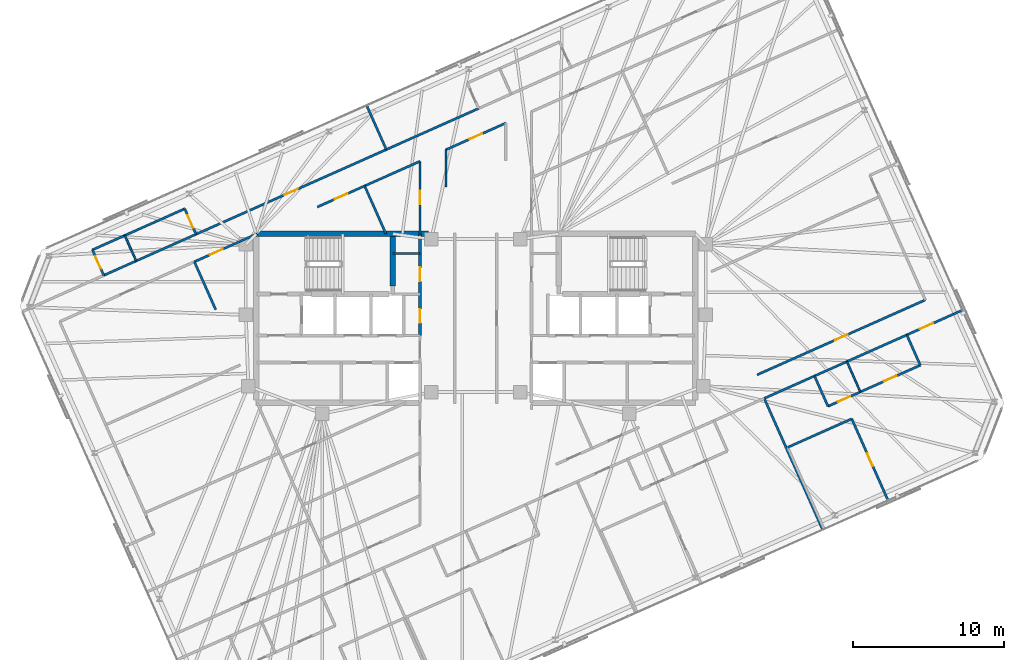
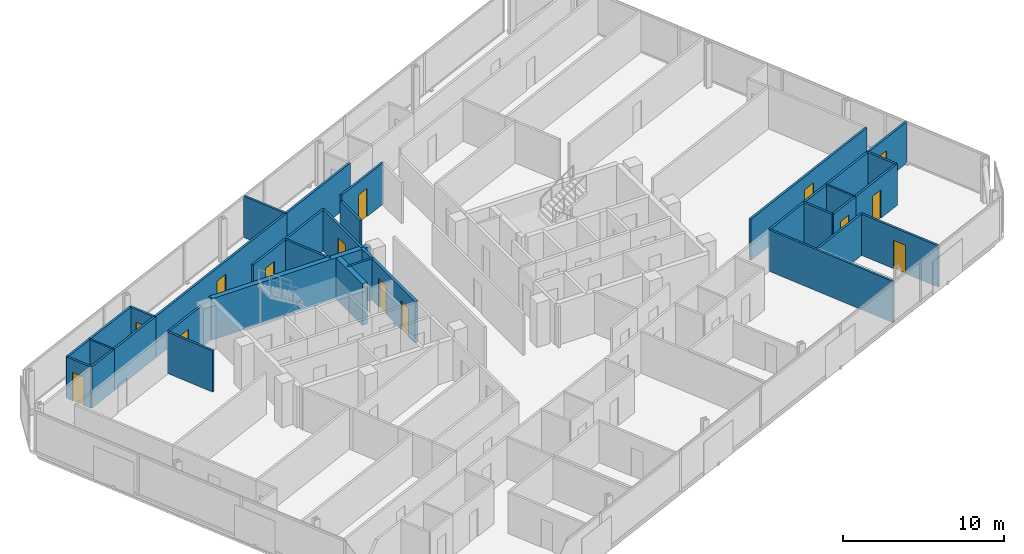
# One storey, part 16 of 19: 35 walls, 14 doors, 14 openings.
"""IFC4 building model written with IfcOpenShell, lengths in metres."""

from ifc_helpers import new_model, si_unit, direction, frame, frame_2d, origin, place, context, subcontext, project, spatial, rectangle, extrude, material, layer, layer_set, type_object, element, fill, save


model = new_model("IFC4")

# Units and contexts
model_context = context("Model", 3, precision=1e-05, world=origin(), true_north=direction((0.0, 1.0)))
body_context = subcontext(model_context, "Body", "Model", "MODEL_VIEW")
ifc_project = project(units=[si_unit("LENGTHUNIT", "METRE"), si_unit("AREAUNIT", "SQUARE_METRE"), si_unit("VOLUMEUNIT", "CUBIC_METRE"), si_unit("PLANEANGLEUNIT", "RADIAN"), si_unit("MASSUNIT", "GRAM", prefix="KILO")], contexts=[model_context])

# Site, building, storey
site_placement = place(None, origin())
site = spatial("IfcSite", under=ifc_project, at=site_placement, CompositionType="ELEMENT")
building_placement = place(site_placement, origin())
building = spatial("IfcBuilding", under=site, at=building_placement, Name="Menara Jurai Vektor", CompositionType="ELEMENT")
storey_placement = place(building_placement, frame((0.0, 0.0, 295.300048828125)))
storey = spatial("IfcBuildingStorey", under=building, at=storey_placement, Name="L79", CompositionType="ELEMENT", Elevation=295.300048828125)

# Wall
ifc_material_1 = material(Name="Gypsum Fireboard Partition", Category="gypsum")
ifc_layer_1 = layer(ifc_material_1, 0.14990234375)
ifc_layer_set_1 = layer_set([ifc_layer_1], Name="Gypsum Fireboard Partition")
wall_type_1 = type_object("IfcWallType", Name="INT-WALL-CORR-150", PredefinedType="PARTITIONING", material=ifc_layer_set_1)
wall_1_placement = place(storey_placement, frame((-5.5, 4.300048828125, 0.0), z_axis=(0.0, 0.0, 1.0), x_axis=(1.0, 0.0, 0.0)))
element("IfcWall", 1, at=wall_1_placement, inside=storey, type_object=wall_type_1, Name="Interior Wall IW-150 L79", PredefinedType="PARTITIONING", context=body_context, shape_type="SweptSolid", body=[
    extrude(rectangle(XDim=1.800048828125, YDim=0.14990234375, at=frame_2d((0.89990234375, 0.0))), origin(), (0.0, 0.0, 1.0), 3.125),
])

# Wall, opening, door
wall_2_placement = place(storey_placement, frame((-18.549072265625, 5.5703125, 0.0), z_axis=(0.0, 0.0, 1.0), x_axis=(0.913545955058, 0.40673552586, 0.0)))
wall_2 = element("IfcWall", 2, at=wall_2_placement, inside=storey, type_object=wall_type_1, Name="Interior Wall IW-150 L79", PredefinedType="PARTITIONING", context=body_context, shape_type="SweptSolid", body=[
    extrude(rectangle(XDim=13.80810546875, YDim=0.14990234375, at=frame_2d((6.904052734375, 0.0))), origin(), (0.0, 0.0, 1.0), 3.125),
])
opening_1_placement = place(wall_2_placement, frame((6.428955078125, 0.0, 0.0)))
opening_1 = element("IfcOpeningElement", 3, at=opening_1_placement, cuts=wall_2, Name="Opening D79-09", PredefinedType="OPENING", context=body_context, shape_type="SweptSolid", body=[
    extrude(rectangle(XDim=0.949951171875, YDim=2.14990234375, at=frame_2d((0.47509765625, 1.074951171875))), frame((0.0, 0.0849609375, 0.0), z_axis=(0.0, -1.0, 0.0), x_axis=(1.0, 0.0, 0.0)), (0.0, 0.0, 1.0), 0.169921875),
])
ifc_material_2 = material(Name="Solid Core Timber Fire Door", Category="wood")
door_type_1 = type_object("IfcDoorType", Name="DR-ENTRY-950", OperationType="NOTDEFINED", PredefinedType="DOOR", material=ifc_material_2)
door_1_placement = place(opening_1_placement, origin())
door_1 = element("IfcDoor", 4, at=door_1_placement, inside=storey, type_object=door_type_1, Name="Interior Door D79-09", OperationType="SINGLE_SWING_RIGHT", OverallHeight=2.14990234375, OverallWidth=0.949951171875, PredefinedType="DOOR", context=body_context, shape_type="SweptSolid", body=[
    extrude(rectangle(XDim=0.949951171875, YDim=2.14990234375, at=frame_2d((0.47509765625, 1.074951171875))), frame((0.0, 0.02490234375, 0.0), z_axis=(0.0, -1.0, 0.0), x_axis=(1.0, 0.0, 0.0)), (0.0, 0.0, 1.0), 0.050048828125),
])
fill(opening_1, door_1)

# Walls
wall_3_placement = place(storey_placement, frame((-24.669677734375, 2.84521484375, 0.0), z_axis=(0.0, 0.0, 1.0), x_axis=(0.913541436194, 0.406745675276, 0.0)))
element("IfcWall", 5, at=wall_3_placement, inside=storey, type_object=wall_type_1, Name="Interior Wall IW-150 L79", PredefinedType="PARTITIONING", context=body_context, shape_type="SweptSolid", body=[
    extrude(rectangle(XDim=2.349853515625, YDim=0.14990234375, at=frame_2d((1.1748046875, 0.0))), origin(), (0.0, 0.0, 1.0), 3.125),
])
wall_4_placement = place(storey_placement, frame((-22.52294921875, 3.801025390625, 0.0), z_axis=(0.0, 0.0, 1.0), x_axis=(0.913545193015, 0.406737237438, 0.0)))
element("IfcWall", 6, at=wall_4_placement, inside=storey, type_object=wall_type_1, Name="Interior Wall IW-150 L79", PredefinedType="PARTITIONING", context=body_context, shape_type="SweptSolid", body=[
    extrude(rectangle(XDim=4.349853515625, YDim=0.14990234375, at=frame_2d((2.1748046875, 0.0))), origin(), (0.0, 0.0, 1.0), 3.125),
])
wall_5_placement = place(storey_placement, frame((-5.934814453125, 11.1865234375, 0.0), z_axis=(0.0, 0.0, 1.0), x_axis=(0.91354851465, 0.406729776856, 0.0)))
element("IfcWall", 7, at=wall_5_placement, inside=storey, type_object=wall_type_1, Name="Interior Wall IW-150 L79", PredefinedType="PARTITIONING", context=body_context, shape_type="SweptSolid", body=[
    extrude(rectangle(XDim=6.703125, YDim=0.14990234375, at=frame_2d((3.3515625, 0.0))), origin(), (0.0, 0.0, 1.0), 3.125),
])
wall_6_placement = place(storey_placement, frame((19.125244140625, -5.314208984375, 0.0), z_axis=(0.0, 0.0, 1.0), x_axis=(0.913543802, 0.40674036169, 0.0)))
element("IfcWall", 8, at=wall_6_placement, inside=storey, type_object=wall_type_1, Name="Interior Wall IW-150 L79", PredefinedType="PARTITIONING", context=body_context, shape_type="SweptSolid", body=[
    extrude(rectangle(XDim=3.650146484375, YDim=0.14990234375, at=frame_2d((1.8251953125, 0.0))), origin(), (0.0, 0.0, 1.0), 3.125),
])

# Wall, opening, door
wall_7_placement = place(storey_placement, frame((28.58056640625, -1.1044921875, 0.0), z_axis=(0.0, 0.0, 1.0), x_axis=(0.91352836412, 0.406775033585, 0.0)))
wall_7 = element("IfcWall", 9, at=wall_7_placement, inside=storey, type_object=wall_type_1, Name="Interior Wall IW-150 L79", PredefinedType="PARTITIONING", context=body_context, shape_type="SweptSolid", body=[
    extrude(rectangle(XDim=4.05615234375, YDim=0.14990234375, at=frame_2d((2.028076171875, 0.0))), origin(), (0.0, 0.0, 1.0), 3.125),
])
opening_2_placement = place(wall_7_placement, frame((0.944580078125, 0.0, 0.0)))
opening_2 = element("IfcOpeningElement", 10, at=opening_2_placement, cuts=wall_7, Name="Opening D79-27", PredefinedType="OPENING", context=body_context, shape_type="SweptSolid", body=[
    extrude(rectangle(XDim=0.949951171875, YDim=2.14990234375, at=frame_2d((0.47509765625, 1.074951171875))), frame((0.0, 0.0849609375, 0.0), z_axis=(0.0, -1.0, 0.0), x_axis=(1.0, 0.0, 0.0)), (0.0, 0.0, 1.0), 0.169921875),
])
door_2_placement = place(opening_2_placement, origin())
door_2 = element("IfcDoor", 11, at=door_2_placement, inside=storey, type_object=door_type_1, Name="Interior Door D79-27", OperationType="SINGLE_SWING_RIGHT", OverallHeight=2.14990234375, OverallWidth=0.949951171875, PredefinedType="DOOR", context=body_context, shape_type="SweptSolid", body=[
    extrude(rectangle(XDim=0.949951171875, YDim=2.14990234375, at=frame_2d((0.47509765625, 1.074951171875))), frame((0.0, 0.02490234375, 0.0), z_axis=(0.0, -1.0, 0.0), x_axis=(1.0, 0.0, 0.0)), (0.0, 0.0, 1.0), 0.050048828125),
])
fill(opening_2, door_2)

# Walls
wall_8_placement = place(storey_placement, frame((22.459716796875, -3.82958984375, 0.0), z_axis=(0.0, 0.0, 1.0), x_axis=(0.913541436194, 0.406745675276, 0.0)))
element("IfcWall", 12, at=wall_8_placement, inside=storey, type_object=wall_type_1, Name="Interior Wall IW-150 L79", PredefinedType="PARTITIONING", context=body_context, shape_type="SweptSolid", body=[
    extrude(rectangle(XDim=2.349853515625, YDim=0.14990234375, at=frame_2d((1.1748046875, 0.0))), origin(), (0.0, 0.0, 1.0), 3.125),
])
wall_9_placement = place(storey_placement, frame((24.6064453125, -2.873779296875, 0.0), z_axis=(0.0, 0.0, 1.0), x_axis=(0.913554477336, 0.406716383908, 0.0)))
element("IfcWall", 13, at=wall_9_placement, inside=storey, type_object=wall_type_1, Name="Interior Wall IW-150 L79", PredefinedType="PARTITIONING", context=body_context, shape_type="SweptSolid", body=[
    extrude(rectangle(XDim=4.35009765625, YDim=0.14990234375, at=frame_2d((2.175048828125, 0.0))), origin(), (0.0, 0.0, 1.0), 3.125),
])

# Wall, opening, door
wall_10_placement = place(storey_placement, frame((-18.6611328125, 3.7470703125, 0.0), z_axis=(0.0, 0.0, 1.0), x_axis=(0.913535055583, 0.40676000568, 0.0)))
wall_10 = element("IfcWall", 14, at=wall_10_placement, inside=storey, type_object=wall_type_1, Name="Interior Wall IW-150 L79", PredefinedType="PARTITIONING", context=body_context, shape_type="SweptSolid", body=[
    extrude(rectangle(XDim=4.554931640625, YDim=0.14990234375, at=frame_2d((2.27734375, 0.0))), origin(), (0.0, 0.0, 1.0), 3.125),
])
opening_3_placement = place(wall_10_placement, frame((1.13427734375, 0.0, 0.0)))
opening_3 = element("IfcOpeningElement", 15, at=opening_3_placement, cuts=wall_10, Name="Opening D79-43", PredefinedType="OPENING", context=body_context, shape_type="SweptSolid", body=[
    extrude(rectangle(XDim=0.919921875, YDim=2.14990234375, at=frame_2d((0.4599609375, 1.074951171875))), frame((0.0, 0.0849609375, 0.0), z_axis=(0.0, -1.0, 0.0), x_axis=(1.0, 0.0, 0.0)), (0.0, 0.0, 1.0), 0.169921875),
])
door_3_placement = place(opening_3_placement, origin())
door_3 = element("IfcDoor", 16, at=door_3_placement, inside=storey, type_object=door_type_1, Name="Interior Door D79-43", OperationType="SINGLE_SWING_RIGHT", OverallHeight=2.14990234375, OverallWidth=0.919921875, PredefinedType="DOOR", context=body_context, shape_type="SweptSolid", body=[
    extrude(rectangle(XDim=0.919921875, YDim=2.14990234375, at=frame_2d((0.4599609375, 1.074951171875))), frame((0.0, 0.02490234375, 0.0), z_axis=(0.0, -1.0, 0.0), x_axis=(1.0, 0.0, 0.0)), (0.0, 0.0, 1.0), 0.050048828125),
])
fill(opening_3, door_3)

wall_11_placement = place(storey_placement, frame((-1.979736328125, 11.174072265625, 0.0), z_axis=(0.0, 0.0, 1.0), x_axis=(0.913546598225, 0.406734081276, 0.0)))
wall_11 = element("IfcWall", 17, at=wall_11_placement, inside=storey, type_object=wall_type_1, Name="Interior Wall IW-150 L79", PredefinedType="PARTITIONING", context=body_context, shape_type="SweptSolid", body=[
    extrude(rectangle(XDim=4.3349609375, YDim=0.14990234375, at=frame_2d((2.16748046875, 0.0))), origin(), (0.0, 0.0, 1.0), 3.125),
])
opening_4_placement = place(wall_11_placement, frame((1.70751953125, 0.0, 0.0)))
opening_4 = element("IfcOpeningElement", 18, at=opening_4_placement, cuts=wall_11, Name="Opening D79-44", PredefinedType="OPENING", context=body_context, shape_type="SweptSolid", body=[
    extrude(rectangle(XDim=0.919921875, YDim=2.14990234375, at=frame_2d((0.4599609375, 1.074951171875))), frame((0.0, 0.0849609375, 0.0), z_axis=(0.0, -1.0, 0.0), x_axis=(1.0, 0.0, 0.0)), (0.0, 0.0, 1.0), 0.169921875),
])
door_4_placement = place(opening_4_placement, origin())
door_4 = element("IfcDoor", 19, at=door_4_placement, inside=storey, type_object=door_type_1, Name="Interior Door D79-44", OperationType="SINGLE_SWING_LEFT", OverallHeight=2.14990234375, OverallWidth=0.919921875, PredefinedType="DOOR", context=body_context, shape_type="SweptSolid", body=[
    extrude(rectangle(XDim=0.919921875, YDim=2.14990234375, at=frame_2d((0.4599609375, 1.074951171875))), frame((0.0, 0.02490234375, 0.0), z_axis=(0.0, -1.0, 0.0), x_axis=(1.0, 0.0, 0.0)), (0.0, 0.0, 1.0), 0.050048828125),
])
fill(opening_4, door_4)

wall_12_placement = place(storey_placement, frame((-10.50390625, 7.37890625, 0.0), z_axis=(0.0, 0.0, 1.0), x_axis=(0.913526514415, 0.406779187596, 0.0)))
wall_12 = element("IfcWall", 20, at=wall_12_placement, inside=storey, type_object=wall_type_1, Name="Interior Wall IW-150 L79", PredefinedType="PARTITIONING", context=body_context, shape_type="SweptSolid", body=[
    extrude(rectangle(XDim=3.4287109375, YDim=0.14990234375, at=frame_2d((1.71435546875, 0.0))), origin(), (0.0, 0.0, 1.0), 3.125),
])
opening_5_placement = place(wall_12_placement, frame((1.25439453125, 0.0, 0.0)))
opening_5 = element("IfcOpeningElement", 21, at=opening_5_placement, cuts=wall_12, Name="Opening D79-45", PredefinedType="OPENING", context=body_context, shape_type="SweptSolid", body=[
    extrude(rectangle(XDim=0.919921875, YDim=2.14990234375, at=frame_2d((0.4599609375, 1.074951171875))), frame((0.0, 0.0849609375, 0.0), z_axis=(0.0, -1.0, 0.0), x_axis=(1.0, 0.0, 0.0)), (0.0, 0.0, 1.0), 0.169921875),
])
door_5_placement = place(opening_5_placement, origin())
door_5 = element("IfcDoor", 22, at=door_5_placement, inside=storey, type_object=door_type_1, Name="Interior Door D79-45", OperationType="SINGLE_SWING_RIGHT", OverallHeight=2.14990234375, OverallWidth=0.919921875, PredefinedType="DOOR", context=body_context, shape_type="SweptSolid", body=[
    extrude(rectangle(XDim=0.919921875, YDim=2.14990234375, at=frame_2d((0.4599609375, 1.074951171875))), frame((0.0, 0.02490234375, 0.0), z_axis=(0.0, -1.0, 0.0), x_axis=(1.0, 0.0, 0.0)), (0.0, 0.0, 1.0), 0.050048828125),
])
fill(opening_5, door_5)

# Wall
wall_13_placement = place(storey_placement, frame((-7.37158203125, 8.773681640625, 0.0), z_axis=(0.0, 0.0, 1.0), x_axis=(0.913563383118, 0.406696379412, 0.0)))
element("IfcWall", 23, at=wall_13_placement, inside=storey, type_object=wall_type_1, Name="Interior Wall IW-150 L79", PredefinedType="PARTITIONING", context=body_context, shape_type="SweptSolid", body=[
    extrude(rectangle(XDim=4.01904296875, YDim=0.14990234375, at=frame_2d((2.009521484375, 0.0))), origin(), (0.0, 0.0, 1.0), 3.125),
])

# Wall, opening, door
wall_14_placement = place(storey_placement, frame((-3.7001953125, 5.599609375, 0.0), z_axis=(0.0, 0.0, 1.0), x_axis=(5.077173e-05, 0.999999998711, 0.0)))
wall_14 = element("IfcWall", 24, at=wall_14_placement, inside=storey, type_object=wall_type_1, Name="Interior Wall IW-150 L79", PredefinedType="PARTITIONING", context=body_context, shape_type="SweptSolid", body=[
    extrude(rectangle(XDim=4.80859375, YDim=0.14990234375, at=frame_2d((2.404296875, 0.0))), origin(), (0.0, 0.0, 1.0), 3.125),
])
opening_6_placement = place(wall_14_placement, frame((1.9443359375, 0.0, 0.0)))
opening_6 = element("IfcOpeningElement", 25, at=opening_6_placement, cuts=wall_14, Name="Opening D79-46", PredefinedType="OPENING", context=body_context, shape_type="SweptSolid", body=[
    extrude(rectangle(XDim=0.919921875, YDim=2.14990234375, at=frame_2d((0.4599609375, 1.074951171875))), frame((0.0, 0.0849609375, 0.0), z_axis=(0.0, -1.0, 0.0), x_axis=(1.0, 0.0, 0.0)), (0.0, 0.0, 1.0), 0.169921875),
])
door_6_placement = place(opening_6_placement, origin())
door_6 = element("IfcDoor", 26, at=door_6_placement, inside=storey, type_object=door_type_1, Name="Interior Door D79-46", OperationType="SINGLE_SWING_LEFT", OverallHeight=2.14990234375, OverallWidth=0.919921875, PredefinedType="DOOR", context=body_context, shape_type="SweptSolid", body=[
    extrude(rectangle(XDim=0.919921875, YDim=2.14990234375, at=frame_2d((0.4599609375, 1.074951171875))), frame((0.0, 0.02490234375, 0.0), z_axis=(0.0, -1.0, 0.0), x_axis=(1.0, 0.0, 0.0)), (0.0, 0.0, 1.0), 0.050048828125),
])
fill(opening_6, door_6)

wall_15_placement = place(storey_placement, frame((18.661865234375, -3.747314453125, 0.0), z_axis=(0.0, 0.0, 1.0), x_axis=(0.91353989142, 0.406749144787, 0.0)))
wall_15 = element("IfcWall", 27, at=wall_15_placement, inside=storey, type_object=wall_type_1, Name="Interior Wall IW-150 L79", PredefinedType="PARTITIONING", context=body_context, shape_type="SweptSolid", body=[
    extrude(rectangle(XDim=12.201904296875, YDim=0.14990234375, at=frame_2d((6.10107421875, 0.0))), origin(), (0.0, 0.0, 1.0), 3.125),
])
opening_7_placement = place(wall_15_placement, frame((5.64111328125, 0.0, 0.0)))
opening_7 = element("IfcOpeningElement", 28, at=opening_7_placement, cuts=wall_15, Name="Opening D79-47", PredefinedType="OPENING", context=body_context, shape_type="SweptSolid", body=[
    extrude(rectangle(XDim=0.919921875, YDim=2.14990234375, at=frame_2d((0.4599609375, 1.074951171875))), frame((0.0, 0.0849609375, 0.0), z_axis=(0.0, -1.0, 0.0), x_axis=(1.0, 0.0, 0.0)), (0.0, 0.0, 1.0), 0.169921875),
])
door_7_placement = place(opening_7_placement, origin())
door_7 = element("IfcDoor", 29, at=door_7_placement, inside=storey, type_object=door_type_1, Name="Interior Door D79-47", OperationType="SINGLE_SWING_RIGHT", OverallHeight=2.14990234375, OverallWidth=0.919921875, PredefinedType="DOOR", context=body_context, shape_type="SweptSolid", body=[
    extrude(rectangle(XDim=0.919921875, YDim=2.14990234375, at=frame_2d((0.4599609375, 1.074951171875))), frame((0.0, 0.02490234375, 0.0), z_axis=(0.0, -1.0, 0.0), x_axis=(1.0, 0.0, 0.0)), (0.0, 0.0, 1.0), 0.050048828125),
])
fill(opening_7, door_7)

wall_16_placement = place(storey_placement, frame((-24.669677734375, 2.84521484375, 0.0), z_axis=(0.0, 0.0, 1.0), x_axis=(-0.406701600856, 0.913561058639, 0.0)))
wall_16 = element("IfcWall", 30, at=wall_16_placement, inside=storey, type_object=wall_type_1, Name="Interior Wall IW-150 L79", PredefinedType="PARTITIONING", context=body_context, shape_type="SweptSolid", body=[
    extrude(rectangle(XDim=1.85009765625, YDim=0.14990234375, at=frame_2d((0.925048828125, 0.0))), origin(), (0.0, 0.0, 1.0), 3.125),
])
opening_8_placement = place(wall_16_placement, frame((0.485107421875, 0.0, 0.0)))
opening_8 = element("IfcOpeningElement", 31, at=opening_8_placement, cuts=wall_16, Name="Opening D79-10", PredefinedType="OPENING", context=body_context, shape_type="SweptSolid", body=[
    extrude(rectangle(XDim=0.8798828125, YDim=2.14990234375, at=frame_2d((0.43994140625, 1.074951171875))), frame((0.0, 0.0849609375, 0.0), z_axis=(0.0, -1.0, 0.0), x_axis=(1.0, 0.0, 0.0)), (0.0, 0.0, 1.0), 0.169921875),
])
ifc_material_3 = material(Name="Moisture-Resistant Timber Door", Category="wood")
door_type_2 = type_object("IfcDoorType", Name="DR-BATH-880", OperationType="NOTDEFINED", PredefinedType="DOOR", material=ifc_material_3)
door_8_placement = place(opening_8_placement, origin())
door_8 = element("IfcDoor", 32, at=door_8_placement, inside=storey, type_object=door_type_2, Name="Interior Door D79-10", OperationType="SINGLE_SWING_LEFT", OverallHeight=2.14990234375, OverallWidth=0.8798828125, PredefinedType="DOOR", context=body_context, shape_type="SweptSolid", body=[
    extrude(rectangle(XDim=0.8798828125, YDim=2.14990234375, at=frame_2d((0.43994140625, 1.074951171875))), frame((0.0, 0.02490234375, 0.0), z_axis=(0.0, -1.0, 0.0), x_axis=(1.0, 0.0, 0.0)), (0.0, 0.0, 1.0), 0.050048828125),
])
fill(opening_8, door_8)

# Walls
wall_17_placement = place(storey_placement, frame((-25.422119140625, 4.535400390625, 0.0), z_axis=(0.0, 0.0, 1.0), x_axis=(0.913541436194, 0.406745675276, 0.0)))
element("IfcWall", 33, at=wall_17_placement, inside=storey, type_object=wall_type_1, Name="Interior Wall IW-150 L79", PredefinedType="PARTITIONING", context=body_context, shape_type="SweptSolid", body=[
    extrude(rectangle(XDim=2.349853515625, YDim=0.14990234375, at=frame_2d((1.1748046875, 0.0))), origin(), (0.0, 0.0, 1.0), 3.125),
])
wall_18_placement = place(storey_placement, frame((-23.275390625, 5.4912109375, 0.0), z_axis=(0.0, 0.0, 1.0), x_axis=(0.913545193015, 0.406737237438, 0.0)))
element("IfcWall", 34, at=wall_18_placement, inside=storey, type_object=wall_type_1, Name="Interior Wall IW-150 L79", PredefinedType="PARTITIONING", context=body_context, shape_type="SweptSolid", body=[
    extrude(rectangle(XDim=4.349853515625, YDim=0.14990234375, at=frame_2d((2.1748046875, 0.0))), origin(), (0.0, 0.0, 1.0), 3.125),
])

# Wall, opening, door
wall_19_placement = place(storey_placement, frame((-18.549072265625, 5.5703125, 0.0), z_axis=(0.0, 0.0, 1.0), x_axis=(-0.406701600856, 0.913561058639, 0.0)))
wall_19 = element("IfcWall", 35, at=wall_19_placement, inside=storey, type_object=wall_type_1, Name="Interior Wall IW-150 L79", PredefinedType="PARTITIONING", context=body_context, shape_type="SweptSolid", body=[
    extrude(rectangle(XDim=1.85009765625, YDim=0.14990234375, at=frame_2d((0.925048828125, 0.0))), origin(), (0.0, 0.0, 1.0), 3.125),
])
opening_9_placement = place(wall_19_placement, frame((0.47509765625, 0.0, 0.0)))
opening_9 = element("IfcOpeningElement", 36, at=opening_9_placement, cuts=wall_19, Name="Opening D79-11", PredefinedType="OPENING", context=body_context, shape_type="SweptSolid", body=[
    extrude(rectangle(XDim=0.89990234375, YDim=2.14990234375, at=frame_2d((0.449951171875, 1.074951171875))), frame((0.0, 0.0849609375, 0.0), z_axis=(0.0, -1.0, 0.0), x_axis=(1.0, 0.0, 0.0)), (0.0, 0.0, 1.0), 0.169921875),
])
ifc_material_4 = material(Name="Acoustic Timber Interior Door", Category="wood")
door_type_3 = type_object("IfcDoorType", Name="DR-ROOM-900", OperationType="NOTDEFINED", PredefinedType="DOOR", material=ifc_material_4)
door_9_placement = place(opening_9_placement, origin())
door_9 = element("IfcDoor", 37, at=door_9_placement, inside=storey, type_object=door_type_3, Name="Interior Door D79-11", OperationType="SINGLE_SWING_RIGHT", OverallHeight=2.14990234375, OverallWidth=0.89990234375, PredefinedType="DOOR", context=body_context, shape_type="SweptSolid", body=[
    extrude(rectangle(XDim=0.89990234375, YDim=2.14990234375, at=frame_2d((0.449951171875, 1.074951171875))), frame((0.0, 0.02490234375, 0.0), z_axis=(0.0, -1.0, 0.0), x_axis=(1.0, 0.0, 0.0)), (0.0, 0.0, 1.0), 0.050048828125),
])
fill(opening_9, door_9)

# Walls
wall_20_placement = place(storey_placement, frame((-5.934814453125, 11.1865234375, 0.0), z_axis=(0.0, 0.0, 1.0), x_axis=(-0.406733350739, 0.913546923478, 0.0)))
element("IfcWall", 38, at=wall_20_placement, inside=storey, type_object=wall_type_1, Name="Interior Wall IW-150 L79", PredefinedType="PARTITIONING", context=body_context, shape_type="SweptSolid", body=[
    extrude(rectangle(XDim=3.197998046875, YDim=0.14990234375, at=frame_2d((1.59912109375, 0.0))), origin(), (0.0, 0.0, 1.0), 3.125),
])
wall_21_placement = place(storey_placement, frame((23.00341796875, -14.02490234375, 0.0), z_axis=(0.0, 0.0, 1.0), x_axis=(-0.406729927653, 0.913548447512, 0.0)))
element("IfcWall", 39, at=wall_21_placement, inside=storey, type_object=wall_type_1, Name="Interior Wall IW-150 L79", PredefinedType="PARTITIONING", context=body_context, shape_type="SweptSolid", body=[
    extrude(rectangle(XDim=9.534912109375, YDim=0.14990234375, at=frame_2d((4.767578125, 0.0))), origin(), (0.0, 0.0, 1.0), 3.125),
])
wall_22_placement = place(storey_placement, frame((23.3544921875, -5.83935546875, 0.0), z_axis=(0.0, 0.0, 1.0), x_axis=(-0.406725294076, 0.913550510459, 0.0)))
element("IfcWall", 40, at=wall_22_placement, inside=storey, type_object=wall_type_1, Name="Interior Wall IW-150 L79", PredefinedType="PARTITIONING", context=body_context, shape_type="SweptSolid", body=[
    extrude(rectangle(XDim=2.199951171875, YDim=0.14990234375, at=frame_2d((1.10009765625, 0.0))), origin(), (0.0, 0.0, 1.0), 3.125),
])

# Wall, opening, door
wall_23_placement = place(storey_placement, frame((23.3544921875, -5.83935546875, 0.0), z_axis=(0.0, 0.0, 1.0), x_axis=(0.913558622212, 0.406707073682, 0.0)))
wall_23 = element("IfcWall", 41, at=wall_23_placement, inside=storey, type_object=wall_type_1, Name="Interior Wall IW-150 L79", PredefinedType="PARTITIONING", context=body_context, shape_type="SweptSolid", body=[
    extrude(rectangle(XDim=2.35009765625, YDim=0.14990234375, at=frame_2d((1.175048828125, 0.0))), origin(), (0.0, 0.0, 1.0), 3.125),
])
opening_10_placement = place(wall_23_placement, frame((0.735107421875, 0.0, 0.0)))
opening_10 = element("IfcOpeningElement", 42, at=opening_10_placement, cuts=wall_23, Name="Opening D79-28", PredefinedType="OPENING", context=body_context, shape_type="SweptSolid", body=[
    extrude(rectangle(XDim=0.8798828125, YDim=2.14990234375, at=frame_2d((0.43994140625, 1.074951171875))), frame((0.0, 0.0849609375, 0.0), z_axis=(0.0, -1.0, 0.0), x_axis=(1.0, 0.0, 0.0)), (0.0, 0.0, 1.0), 0.169921875),
])
door_10_placement = place(opening_10_placement, origin())
door_10 = element("IfcDoor", 43, at=door_10_placement, inside=storey, type_object=door_type_2, Name="Interior Door D79-28", OperationType="SINGLE_SWING_LEFT", OverallHeight=2.14990234375, OverallWidth=0.8798828125, PredefinedType="DOOR", context=body_context, shape_type="SweptSolid", body=[
    extrude(rectangle(XDim=0.8798828125, YDim=2.14990234375, at=frame_2d((0.43994140625, 1.074951171875))), frame((0.0, 0.02490234375, 0.0), z_axis=(0.0, -1.0, 0.0), x_axis=(1.0, 0.0, 0.0)), (0.0, 0.0, 1.0), 0.050048828125),
])
fill(opening_10, door_10)

wall_24_placement = place(storey_placement, frame((25.50146484375, -4.883544921875, 0.0), z_axis=(0.0, 0.0, 1.0), x_axis=(0.913545193015, 0.406737237438, 0.0)))
wall_24 = element("IfcWall", 44, at=wall_24_placement, inside=storey, type_object=wall_type_1, Name="Interior Wall IW-150 L79", PredefinedType="PARTITIONING", context=body_context, shape_type="SweptSolid", body=[
    extrude(rectangle(XDim=4.349853515625, YDim=0.14990234375, at=frame_2d((2.1748046875, 0.0))), origin(), (0.0, 0.0, 1.0), 3.125),
])
opening_11_placement = place(wall_24_placement, frame((1.72509765625, 0.0, 0.0)))
opening_11 = element("IfcOpeningElement", 45, at=opening_11_placement, cuts=wall_24, Name="Opening D79-29", PredefinedType="OPENING", context=body_context, shape_type="SweptSolid", body=[
    extrude(rectangle(XDim=0.89990234375, YDim=2.14990234375, at=frame_2d((0.449951171875, 1.074951171875))), frame((0.0, 0.0849609375, 0.0), z_axis=(0.0, -1.0, 0.0), x_axis=(1.0, 0.0, 0.0)), (0.0, 0.0, 1.0), 0.169921875),
])
door_11_placement = place(opening_11_placement, origin())
door_11 = element("IfcDoor", 46, at=door_11_placement, inside=storey, type_object=door_type_3, Name="Interior Door D79-29", OperationType="SINGLE_SWING_RIGHT", OverallHeight=2.14990234375, OverallWidth=0.89990234375, PredefinedType="DOOR", context=body_context, shape_type="SweptSolid", body=[
    extrude(rectangle(XDim=0.89990234375, YDim=2.14990234375, at=frame_2d((0.449951171875, 1.074951171875))), frame((0.0, 0.02490234375, 0.0), z_axis=(0.0, -1.0, 0.0), x_axis=(1.0, 0.0, 0.0)), (0.0, 0.0, 1.0), 0.050048828125),
])
fill(opening_11, door_11)

# Walls
wall_25_placement = place(storey_placement, frame((29.475341796875, -3.1142578125, 0.0), z_axis=(0.0, 0.0, 1.0), x_axis=(-0.406725294076, 0.913550510459, 0.0)))
element("IfcWall", 47, at=wall_25_placement, inside=storey, type_object=wall_type_1, Name="Interior Wall IW-150 L79", PredefinedType="PARTITIONING", context=body_context, shape_type="SweptSolid", body=[
    extrude(rectangle(XDim=2.199951171875, YDim=0.14990234375, at=frame_2d((1.10009765625, 0.0))), origin(), (0.0, 0.0, 1.0), 3.125),
])
wall_26_placement = place(storey_placement, frame((20.680908203125, -8.562255859375, 0.0), z_axis=(0.0, 0.0, 1.0), x_axis=(0.91354505039, 0.40673755778, 0.0)))
element("IfcWall", 48, at=wall_26_placement, inside=storey, type_object=wall_type_1, Name="Interior Wall IW-150 L79", PredefinedType="PARTITIONING", context=body_context, shape_type="SweptSolid", body=[
    extrude(rectangle(XDim=4.650146484375, YDim=0.14990234375, at=frame_2d((2.3251953125, 0.0))), origin(), (0.0, 0.0, 1.0), 3.125),
])

# Wall, opening, door
wall_27_placement = place(storey_placement, frame((27.3427734375, -12.0927734375, 0.0), z_axis=(0.0, 0.0, 1.0), x_axis=(-0.406714717734, 0.913555219119, 0.0)))
wall_27 = element("IfcWall", 49, at=wall_27_placement, inside=storey, type_object=wall_type_1, Name="Interior Wall IW-150 L79", PredefinedType="PARTITIONING", context=body_context, shape_type="SweptSolid", body=[
    extrude(rectangle(XDim=5.934814453125, YDim=0.14990234375, at=frame_2d((2.96728515625, 0.0))), origin(), (0.0, 0.0, 1.0), 3.125),
])
opening_12_placement = place(wall_27_placement, frame((2.517578125, 0.0, 0.0)))
opening_12 = element("IfcOpeningElement", 50, at=opening_12_placement, cuts=wall_27, Name="Opening D79-30", PredefinedType="OPENING", context=body_context, shape_type="SweptSolid", body=[
    extrude(rectangle(XDim=0.89990234375, YDim=2.14990234375, at=frame_2d((0.449951171875, 1.074951171875))), frame((0.0, 0.0849609375, 0.0), z_axis=(0.0, -1.0, 0.0), x_axis=(1.0, 0.0, 0.0)), (0.0, 0.0, 1.0), 0.169921875),
])
door_12_placement = place(opening_12_placement, origin())
door_12 = element("IfcDoor", 51, at=door_12_placement, inside=storey, type_object=door_type_3, Name="Interior Door D79-30", OperationType="SINGLE_SWING_LEFT", OverallHeight=2.14990234375, OverallWidth=0.89990234375, PredefinedType="DOOR", context=body_context, shape_type="SweptSolid", body=[
    extrude(rectangle(XDim=0.89990234375, YDim=2.14990234375, at=frame_2d((0.449951171875, 1.074951171875))), frame((0.0, 0.02490234375, 0.0), z_axis=(0.0, -1.0, 0.0), x_axis=(1.0, 0.0, 0.0)), (0.0, 0.0, 1.0), 0.050048828125),
])
fill(opening_12, door_12)

# Walls
wall_28_placement = place(storey_placement, frame((-17.24609375, 0.56884765625, 0.0), z_axis=(0.0, 0.0, 1.0), x_axis=(-0.40673740295, 0.913545119324, 0.0)))
element("IfcWall", 52, at=wall_28_placement, inside=storey, type_object=wall_type_1, Name="Interior Wall IW-150 L79", PredefinedType="PARTITIONING", context=body_context, shape_type="SweptSolid", body=[
    extrude(rectangle(XDim=3.47900390625, YDim=0.14990234375, at=frame_2d((1.739501953125, 0.0))), origin(), (0.0, 0.0, 1.0), 3.125),
])
wall_29_placement = place(storey_placement, frame((-5.95849609375, 5.599853515625, 0.0), z_axis=(0.0, 0.0, 1.0), x_axis=(-0.406738231884, 0.913544750258, 0.0)))
element("IfcWall", 53, at=wall_29_placement, inside=storey, type_object=wall_type_1, Name="Interior Wall IW-150 L79", PredefinedType="PARTITIONING", context=body_context, shape_type="SweptSolid", body=[
    extrude(rectangle(XDim=3.47412109375, YDim=0.14990234375, at=frame_2d((1.737060546875, 0.0))), origin(), (0.0, 0.0, 1.0), 3.125),
])
ifc_layer_2 = layer(ifc_material_1, 0.14990234375)
ifc_layer_set_2 = layer_set([ifc_layer_2], Name="Gypsum Fireboard Partition")
wall_type_2 = type_object("IfcWallType", Name="INT-WALL-CORR-150-H1", PredefinedType="PARTITIONING", material=ifc_layer_set_2)
wall_30_placement = place(storey_placement, frame((-1.980224609375, 8.69677734375, 0.0), z_axis=(0.0, 0.0, 1.0), x_axis=(0.000197102588, 0.999999980575, 0.0)))
element("IfcWall", 54, at=wall_30_placement, inside=storey, type_object=wall_type_2, Name="Interior Wall IW-150 L79", PredefinedType="PARTITIONING", context=body_context, shape_type="SweptSolid", body=[
    extrude(rectangle(XDim=2.477294921875, YDim=0.14990234375, at=frame_2d((1.23876953125, 0.0))), origin(), (0.0, 0.0, 1.0), 2.675048828125),
])
ifc_material_5 = material(Name="Gypsum Acoustic Stud Partition", Category="gypsum")
ifc_layer_3 = layer(ifc_material_5, 0.1201171875)
ifc_layer_set_3 = layer_set([ifc_layer_3], Name="Gypsum Acoustic Stud Partition")
wall_type_3 = type_object("IfcWallType", Name="INT-WALL-PART-120", PredefinedType="PARTITIONING", material=ifc_layer_set_3)
wall_31_placement = place(storey_placement, frame((-22.52294921875, 3.801025390625, 0.0), z_axis=(0.0, 0.0, 1.0), x_axis=(-0.406701600856, 0.913561058639, 0.0)))
element("IfcWall", 55, at=wall_31_placement, inside=storey, type_object=wall_type_3, Name="Interior Wall IW-120 L79", PredefinedType="PARTITIONING", context=body_context, shape_type="SweptSolid", body=[
    extrude(rectangle(XDim=1.85009765625, YDim=0.1201171875, at=frame_2d((0.925048828125, 0.0))), origin(), (0.0, 0.0, 1.0), 3.125),
])
wall_32_placement = place(storey_placement, frame((25.50146484375, -4.883544921875, 0.0), z_axis=(0.0, 0.0, 1.0), x_axis=(-0.406817905151, 0.913509273105, 0.0)))
element("IfcWall", 56, at=wall_32_placement, inside=storey, type_object=wall_type_3, Name="Interior Wall IW-120 L79", PredefinedType="PARTITIONING", context=body_context, shape_type="SweptSolid", body=[
    extrude(rectangle(XDim=2.199951171875, YDim=0.1201171875, at=frame_2d((1.10009765625, 0.0))), origin(), (0.0, 0.0, 1.0), 3.125),
])

# Wall, openings, doors
ifc_material_6 = material(Name="Concrete C40/50", Category="concrete")
ifc_layer_4 = layer(ifc_material_6, 0.199951171875)
ifc_layer_set_4 = layer_set([ifc_layer_4], Name="Concrete C40/50")
wall_type_4 = type_object("IfcWallType", Name="INT-WALL-SHAFT-200", PredefinedType="STANDARD", material=ifc_layer_set_4)
wall_33_placement = place(storey_placement, frame((-3.699951171875, -1.14990234375, 0.0), z_axis=(0.0, 0.0, 1.0), x_axis=(0.0, 1.0, 0.0)))
wall_33 = element("IfcWall", 57, at=wall_33_placement, inside=storey, type_object=wall_type_4, Name="Interior Wall IW-200 L79", PredefinedType="STANDARD", context=body_context, shape_type="SweptSolid", body=[
    extrude(rectangle(XDim=6.75, YDim=0.199951171875, at=frame_2d((3.375, 0.0))), origin(), (0.0, 0.0, 1.0), 3.125),
])
opening_13_placement = place(wall_33_placement, frame((3.60009765625, 0.0, 0.0)))
opening_13 = element("IfcOpeningElement", 58, at=opening_13_placement, cuts=wall_33, Name="Opening D79-03", PredefinedType="OPENING", context=body_context, shape_type="SweptSolid", body=[
    extrude(rectangle(XDim=0.919921875, YDim=2.14990234375, at=frame_2d((0.4599609375, 1.074951171875))), frame((0.0, 0.10986328125, 0.0), z_axis=(0.0, -1.0, 0.0), x_axis=(1.0, 0.0, 0.0)), (0.0, 0.0, 1.0), 0.219970703125),
])
opening_14_placement = place(wall_33_placement, frame((0.85009765625, 0.0, 0.0)))
opening_14 = element("IfcOpeningElement", 59, at=opening_14_placement, cuts=wall_33, Name="Opening D79-04", PredefinedType="OPENING", context=body_context, shape_type="SweptSolid", body=[
    extrude(rectangle(XDim=0.89990234375, YDim=2.14990234375, at=frame_2d((0.449951171875, 1.074951171875))), frame((0.0, 0.10986328125, 0.0), z_axis=(0.0, -1.0, 0.0), x_axis=(1.0, 0.0, 0.0)), (0.0, 0.0, 1.0), 0.219970703125),
])
door_13_placement = place(opening_13_placement, origin())
door_13 = element("IfcDoor", 60, at=door_13_placement, inside=storey, type_object=door_type_1, Name="Interior Door D79-03", OperationType="SINGLE_SWING_LEFT", OverallHeight=2.14990234375, OverallWidth=0.919921875, PredefinedType="DOOR", context=body_context, shape_type="SweptSolid", body=[
    extrude(rectangle(XDim=0.919921875, YDim=2.14990234375, at=frame_2d((0.4599609375, 1.074951171875))), frame((0.0, 0.02490234375, 0.0), z_axis=(0.0, -1.0, 0.0), x_axis=(1.0, 0.0, 0.0)), (0.0, 0.0, 1.0), 0.050048828125),
])
fill(opening_13, door_13)
door_14_placement = place(opening_14_placement, origin())
door_14 = element("IfcDoor", 61, at=door_14_placement, inside=storey, type_object=door_type_1, Name="Interior Door D79-04", OperationType="SINGLE_SWING_LEFT", OverallHeight=2.14990234375, OverallWidth=0.89990234375, PredefinedType="DOOR", context=body_context, shape_type="SweptSolid", body=[
    extrude(rectangle(XDim=0.89990234375, YDim=2.14990234375, at=frame_2d((0.449951171875, 1.074951171875))), frame((0.0, 0.02490234375, 0.0), z_axis=(0.0, -1.0, 0.0), x_axis=(1.0, 0.0, 0.0)), (0.0, 0.0, 1.0), 0.050048828125),
])
fill(opening_14, door_14)

# Walls
ifc_material_7 = material(Name="Concrete C50/60", Category="concrete")
ifc_layer_5 = layer(ifc_material_7, 0.35009765625)
ifc_layer_set_5 = layer_set([ifc_layer_5], Name="Concrete C50/60")
wall_type_5 = type_object("IfcWallType", Name="STR-WALL-CORE350", PredefinedType="SHEAR", material=ifc_layer_set_5)
wall_34_placement = place(storey_placement, frame((-14.56005859375, 5.60009765625, 0.0), z_axis=(0.0, 0.0, 1.0), x_axis=(1.0, 0.0, 0.0)))
element("IfcWall", 62, at=wall_34_placement, inside=storey, type_object=wall_type_5, Name="Core Shear Wall CW-W-N L79", PredefinedType="SHEAR", context=body_context, shape_type="SweptSolid", body=[
    extrude(rectangle(XDim=11.41015625, YDim=0.35009765625, at=frame_2d((5.705078125, 0.0))), origin(), (0.0, 0.0, 1.0), 3.125),
])
wall_35_placement = place(storey_placement, frame((-5.5, 2.14990234375, 0.0), z_axis=(0.0, 0.0, 1.0), x_axis=(0.0, 1.0, 0.0)))
element("IfcWall", 63, at=wall_35_placement, inside=storey, type_object=wall_type_5, Name="Core Shear Wall CW-W-ST L79", PredefinedType="SHEAR", context=body_context, shape_type="SweptSolid", body=[
    extrude(rectangle(XDim=3.275146484375, YDim=0.35009765625, at=frame_2d((1.6376953125, 0.0))), origin(), (0.0, 0.0, 1.0), 3.125),
])

save(model, "model.ifc")
